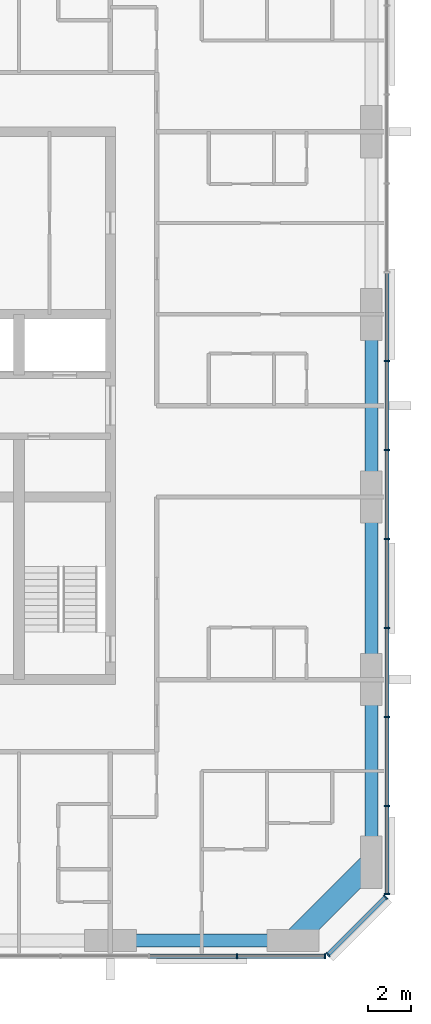
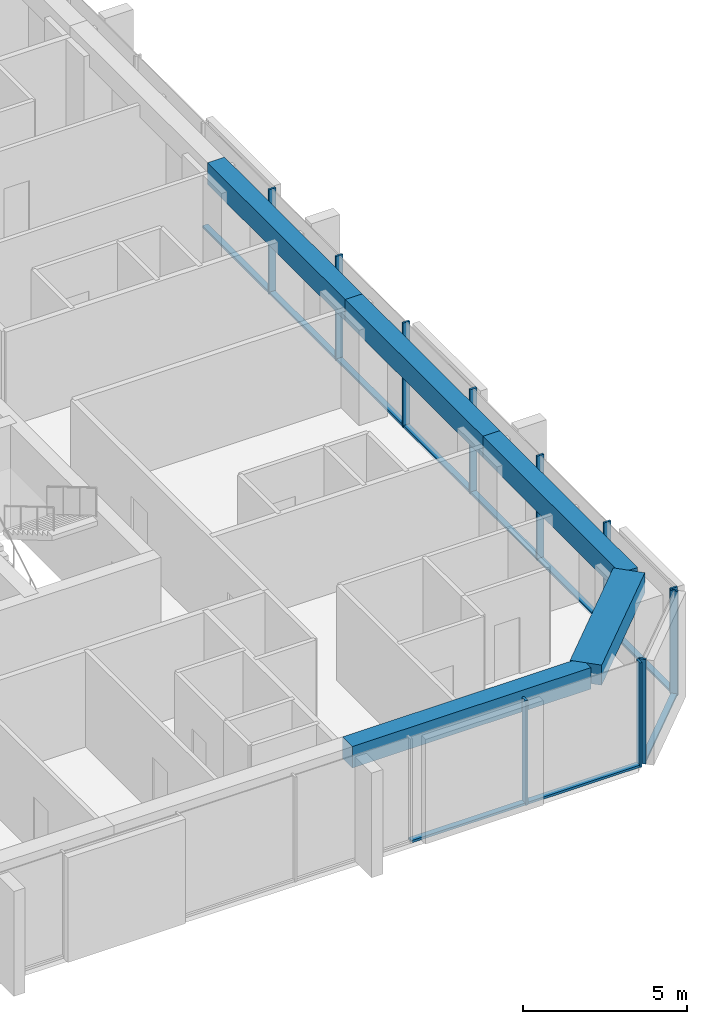
# One storey, part 3 of 13: 21 members, 5 beams, 3 elements without a shape of their own.
"""IFC4 building model written with IfcOpenShell, lengths in metres."""

from ifc_helpers import new_model, si_unit, direction, frame, origin, origin_2d, place, context, subcontext, project, spatial, rectangle, extrude, material, material_profile, profile_set, type_object, element, aggregate, save


model = new_model("IFC4")

# Units and contexts
model_context = context("Model", 3, precision=1e-05, world=origin(), true_north=direction((0.0, 1.0)))
body_context = subcontext(model_context, "Body", "Model", "MODEL_VIEW")
ifc_project = project(units=[si_unit("LENGTHUNIT", "METRE"), si_unit("AREAUNIT", "SQUARE_METRE"), si_unit("VOLUMEUNIT", "CUBIC_METRE"), si_unit("PLANEANGLEUNIT", "RADIAN"), si_unit("MASSUNIT", "GRAM", prefix="KILO")], contexts=[model_context])

# Site, building, storey
site_placement = place(None, origin())
site = spatial("IfcSite", under=ifc_project, at=site_placement, CompositionType="ELEMENT")
building_placement = place(site_placement, origin())
building = spatial("IfcBuilding", under=site, at=building_placement, Name="Dunama Terrace Hotel", CompositionType="ELEMENT")
storey_placement = place(building_placement, frame((0.0, 0.0, 280.199951171875)))
storey = spatial("IfcBuildingStorey", under=building, at=storey_placement, Name="L72", CompositionType="ELEMENT", Elevation=280.199951171875)

# Curtain wall, members
ifc_material_1 = material(Name="Aluminium curtain wall system", Category="aluminium")
curtain_wall_type = type_object("IfcCurtainWallType", Name="Unitised fritted glass wall CW-D", PredefinedType="NOTDEFINED", material=ifc_material_1)
curtain_wall_1_placement = place(storey_placement, origin())
curtain_wall_1 = element("IfcCurtainWall", 1, at=curtain_wall_1_placement, inside=storey, type_object=curtain_wall_type, Name="Unitised fritted glass wall CW-D L72", PredefinedType="NOTDEFINED")
ifc_material_2 = material(Name="Aluminium mullion", Category="aluminium")
ifc_material_profile_1 = material_profile(ifc_material_2, rectangle(XDim=0.070068359375, YDim=0.239990234375, at=origin_2d()), Name="CWD MULLION 70X240")
ifc_profile_set_1 = profile_set([ifc_material_profile_1], Name="Aluminium mullion")
member_type_1 = type_object("IfcMemberType", Name="CWD mullion 70x240", PredefinedType="MULLION", material=ifc_profile_set_1)
member_1_placement = place(storey_placement, frame((47.8330078125, 4.080078125, 0.0), z_axis=(0.0, 0.0, 1.0), x_axis=(1.0, 0.0, 0.0)))
member_1 = element("IfcMember", 2, at=member_1_placement, type_object=member_type_1, Name="CWD mullion", PredefinedType="MULLION", context=body_context, shape_type="SweptSolid", body=[
    extrude(rectangle(XDim=0.070068359375, YDim=0.239990234375, at=origin_2d()), origin(), (0.0, 0.0, 1.0), 3.900146484375),
])
member_2_placement = place(storey_placement, frame((51.864990234375, 4.080078125, 0.0), z_axis=(0.0, 0.0, 1.0), x_axis=(1.0, 0.0, 0.0)))
member_2 = element("IfcMember", 3, at=member_2_placement, type_object=member_type_1, Name="CWD mullion", PredefinedType="MULLION", context=body_context, shape_type="SweptSolid", body=[
    extrude(rectangle(XDim=0.070068359375, YDim=0.239990234375, at=origin_2d()), origin(), (0.0, 0.0, 1.0), 3.900146484375),
])

curtain_wall_2_placement = place(storey_placement, origin())
curtain_wall_2 = element("IfcCurtainWall", 4, at=curtain_wall_2_placement, inside=storey, type_object=curtain_wall_type, Name="Unitised fritted glass wall CW-D L72", PredefinedType="NOTDEFINED")
member_3_placement = place(storey_placement, frame((52.010009765625, 4.139892578125, 0.0), z_axis=(0.0, 0.0, 1.0), x_axis=(0.707106781187, 0.707106781187, 0.0)))
member_3 = element("IfcMember", 5, at=member_3_placement, type_object=member_type_1, Name="CWD mullion", PredefinedType="MULLION", context=body_context, shape_type="SweptSolid", body=[
    extrude(rectangle(XDim=0.070068359375, YDim=0.239990234375, at=origin_2d()), origin(), (0.0, 0.0, 1.0), 3.900146484375),
])
member_4_placement = place(storey_placement, frame((54.659912109375, 6.7900390625, 0.0), z_axis=(0.0, 0.0, 1.0), x_axis=(0.707106781187, 0.707106781187, 0.0)))
member_4 = element("IfcMember", 6, at=member_4_placement, type_object=member_type_1, Name="CWD mullion", PredefinedType="MULLION", context=body_context, shape_type="SweptSolid", body=[
    extrude(rectangle(XDim=0.070068359375, YDim=0.239990234375, at=origin_2d()), origin(), (0.0, 0.0, 1.0), 3.900146484375),
])

curtain_wall_3_placement = place(storey_placement, origin())
curtain_wall_3 = element("IfcCurtainWall", 7, at=curtain_wall_3_placement, inside=storey, type_object=curtain_wall_type, Name="Unitised fritted glass wall CW-D L72", PredefinedType="NOTDEFINED")
member_5_placement = place(storey_placement, frame((54.719970703125, 6.93505859375, 0.0), z_axis=(0.0, 0.0, 1.0), x_axis=(0.0, 1.0, 0.0)))
member_5 = element("IfcMember", 8, at=member_5_placement, type_object=member_type_1, Name="CWD mullion", PredefinedType="MULLION", context=body_context, shape_type="SweptSolid", body=[
    extrude(rectangle(XDim=0.070068359375, YDim=0.239990234375, at=origin_2d()), origin(), (0.0, 0.0, 1.0), 3.900146484375),
])
member_6_placement = place(storey_placement, frame((54.719970703125, 10.990966796875, 0.0), z_axis=(0.0, 0.0, 1.0), x_axis=(0.0, 1.0, 0.0)))
member_6 = element("IfcMember", 9, at=member_6_placement, type_object=member_type_1, Name="CWD mullion", PredefinedType="MULLION", context=body_context, shape_type="SweptSolid", body=[
    extrude(rectangle(XDim=0.070068359375, YDim=0.239990234375, at=origin_2d()), origin(), (0.0, 0.0, 1.0), 3.900146484375),
])
member_7_placement = place(storey_placement, frame((54.719970703125, 15.08203125, 0.0), z_axis=(0.0, 0.0, 1.0), x_axis=(0.0, 1.0, 0.0)))
member_7 = element("IfcMember", 10, at=member_7_placement, type_object=member_type_1, Name="CWD mullion", PredefinedType="MULLION", context=body_context, shape_type="SweptSolid", body=[
    extrude(rectangle(XDim=0.070068359375, YDim=0.239990234375, at=origin_2d()), origin(), (0.0, 0.0, 1.0), 3.900146484375),
])
member_8_placement = place(storey_placement, frame((54.719970703125, 19.173095703125, 0.0), z_axis=(0.0, 0.0, 1.0), x_axis=(0.0, 1.0, 0.0)))
member_8 = element("IfcMember", 11, at=member_8_placement, type_object=member_type_1, Name="CWD mullion", PredefinedType="MULLION", context=body_context, shape_type="SweptSolid", body=[
    extrude(rectangle(XDim=0.070068359375, YDim=0.239990234375, at=origin_2d()), origin(), (0.0, 0.0, 1.0), 3.900146484375),
])
member_9_placement = place(storey_placement, frame((54.719970703125, 23.263916015625, 0.0), z_axis=(0.0, 0.0, 1.0), x_axis=(0.0, 1.0, 0.0)))
member_9 = element("IfcMember", 12, at=member_9_placement, type_object=member_type_1, Name="CWD mullion", PredefinedType="MULLION", context=body_context, shape_type="SweptSolid", body=[
    extrude(rectangle(XDim=0.070068359375, YDim=0.239990234375, at=origin_2d()), origin(), (0.0, 0.0, 1.0), 3.900146484375),
])
member_10_placement = place(storey_placement, frame((54.719970703125, 27.35498046875, 0.0), z_axis=(0.0, 0.0, 1.0), x_axis=(0.0, 1.0, 0.0)))
member_10 = element("IfcMember", 13, at=member_10_placement, type_object=member_type_1, Name="CWD mullion", PredefinedType="MULLION", context=body_context, shape_type="SweptSolid", body=[
    extrude(rectangle(XDim=0.070068359375, YDim=0.239990234375, at=origin_2d()), origin(), (0.0, 0.0, 1.0), 3.900146484375),
])
member_11_placement = place(storey_placement, frame((54.719970703125, 31.445068359375, 0.0), z_axis=(0.0, 0.0, 1.0), x_axis=(0.0, 1.0, 0.0)))
member_11 = element("IfcMember", 14, at=member_11_placement, type_object=member_type_1, Name="CWD mullion", PredefinedType="MULLION", context=body_context, shape_type="SweptSolid", body=[
    extrude(rectangle(XDim=0.070068359375, YDim=0.239990234375, at=origin_2d()), origin(), (0.0, 0.0, 1.0), 3.900146484375),
])

# Member
ifc_material_3 = material(Name="Aluminium transom", Category="aluminium")
ifc_material_profile_2 = material_profile(ifc_material_3, rectangle(XDim=0.199951171875, YDim=0.0849609375, at=origin_2d()), Name="CWD TRANSOM 200X85")
ifc_profile_set_2 = profile_set([ifc_material_profile_2], Name="Aluminium transom")
member_type_2 = type_object("IfcMemberType", Name="CWD transom 200x85", PredefinedType="USERDEFINED", material=ifc_profile_set_2)
member_12_placement = place(storey_placement, frame((43.802001953125, 4.080078125, 0.04248046875), z_axis=(1.0, 0.0, 0.0), x_axis=(0.0, 1.0, 0.0)))
member_12 = element("IfcMember", 15, at=member_12_placement, type_object=member_type_2, Name="CWD transom", ObjectType="TRANSOM", PredefinedType="USERDEFINED", context=body_context, shape_type="SweptSolid", body=[
    extrude(rectangle(XDim=0.199951171875, YDim=0.0849609375, at=origin_2d()), origin(), (0.0, 0.0, 1.0), 3.99609375),
])

member_13_placement = place(storey_placement, frame((47.867919921875, 4.080078125, 0.04248046875), z_axis=(1.0, 0.0, 0.0), x_axis=(0.0, 1.0, 0.0)))
member_13 = element("IfcMember", 16, at=member_13_placement, type_object=member_type_2, Name="CWD transom", ObjectType="TRANSOM", PredefinedType="USERDEFINED", context=body_context, shape_type="SweptSolid", body=[
    extrude(rectangle(XDim=0.199951171875, YDim=0.0849609375, at=origin_2d()), origin(), (0.0, 0.0, 1.0), 3.962158203125),
])

aggregate(curtain_wall_1, [member_1, member_2, member_12, member_13])

member_14_placement = place(storey_placement, frame((52.033935546875, 4.1650390625, 0.04248046875), z_axis=(0.707106781187, 0.707106781187, 0.0), x_axis=(-0.707106781187, 0.707106781187, 0.0)))
member_14 = element("IfcMember", 17, at=member_14_placement, type_object=member_type_2, Name="CWD transom", ObjectType="TRANSOM", PredefinedType="USERDEFINED", context=body_context, shape_type="SweptSolid", body=[
    extrude(rectangle(XDim=0.199951171875, YDim=0.0849609375, at=origin_2d()), origin(), (0.0, 0.0, 1.0), 3.678466796875),
])

aggregate(curtain_wall_2, [member_3, member_4, member_14])

member_15_placement = place(storey_placement, frame((54.719970703125, 6.969970703125, 0.04248046875), z_axis=(0.0, 1.0, 0.0), x_axis=(-1.0, 0.0, 0.0)))
member_15 = element("IfcMember", 18, at=member_15_placement, type_object=member_type_2, Name="CWD transom", ObjectType="TRANSOM", PredefinedType="USERDEFINED", context=body_context, shape_type="SweptSolid", body=[
    extrude(rectangle(XDim=0.199951171875, YDim=0.0849609375, at=origin_2d()), origin(), (0.0, 0.0, 1.0), 3.986083984375),
])

member_16_placement = place(storey_placement, frame((54.719970703125, 11.02587890625, 0.04248046875), z_axis=(0.0, 1.0, 0.0), x_axis=(-1.0, 0.0, 0.0)))
member_16 = element("IfcMember", 19, at=member_16_placement, type_object=member_type_2, Name="CWD transom", ObjectType="TRANSOM", PredefinedType="USERDEFINED", context=body_context, shape_type="SweptSolid", body=[
    extrude(rectangle(XDim=0.199951171875, YDim=0.0849609375, at=origin_2d()), origin(), (0.0, 0.0, 1.0), 4.021240234375),
])

member_17_placement = place(storey_placement, frame((54.719970703125, 15.116943359375, 0.04248046875), z_axis=(0.0, 1.0, 0.0), x_axis=(-1.0, 0.0, 0.0)))
member_17 = element("IfcMember", 20, at=member_17_placement, type_object=member_type_2, Name="CWD transom", ObjectType="TRANSOM", PredefinedType="USERDEFINED", context=body_context, shape_type="SweptSolid", body=[
    extrude(rectangle(XDim=0.199951171875, YDim=0.0849609375, at=origin_2d()), origin(), (0.0, 0.0, 1.0), 4.02099609375),
])

member_18_placement = place(storey_placement, frame((54.719970703125, 19.2080078125, 0.04248046875), z_axis=(0.0, 1.0, 0.0), x_axis=(-1.0, 0.0, 0.0)))
member_18 = element("IfcMember", 21, at=member_18_placement, type_object=member_type_2, Name="CWD transom", ObjectType="TRANSOM", PredefinedType="USERDEFINED", context=body_context, shape_type="SweptSolid", body=[
    extrude(rectangle(XDim=0.199951171875, YDim=0.0849609375, at=origin_2d()), origin(), (0.0, 0.0, 1.0), 4.02099609375),
])

member_19_placement = place(storey_placement, frame((54.719970703125, 23.299072265625, 0.04248046875), z_axis=(0.0, 1.0, 0.0), x_axis=(-1.0, 0.0, 0.0)))
member_19 = element("IfcMember", 22, at=member_19_placement, type_object=member_type_2, Name="CWD transom", ObjectType="TRANSOM", PredefinedType="USERDEFINED", context=body_context, shape_type="SweptSolid", body=[
    extrude(rectangle(XDim=0.199951171875, YDim=0.0849609375, at=origin_2d()), origin(), (0.0, 0.0, 1.0), 4.02099609375),
])

member_20_placement = place(storey_placement, frame((54.719970703125, 27.389892578125, 0.04248046875), z_axis=(0.0, 1.0, 0.0), x_axis=(-1.0, 0.0, 0.0)))
member_20 = element("IfcMember", 23, at=member_20_placement, type_object=member_type_2, Name="CWD transom", ObjectType="TRANSOM", PredefinedType="USERDEFINED", context=body_context, shape_type="SweptSolid", body=[
    extrude(rectangle(XDim=0.199951171875, YDim=0.0849609375, at=origin_2d()), origin(), (0.0, 0.0, 1.0), 4.02001953125),
])

member_21_placement = place(storey_placement, frame((54.719970703125, 31.47998046875, 0.04248046875), z_axis=(0.0, 1.0, 0.0), x_axis=(-1.0, 0.0, 0.0)))
member_21 = element("IfcMember", 24, at=member_21_placement, type_object=member_type_2, Name="CWD transom", ObjectType="TRANSOM", PredefinedType="USERDEFINED", context=body_context, shape_type="SweptSolid", body=[
    extrude(rectangle(XDim=0.199951171875, YDim=0.0849609375, at=origin_2d()), origin(), (0.0, 0.0, 1.0), 4.02099609375),
])

aggregate(curtain_wall_3, [member_5, member_6, member_7, member_8, member_9, member_10, member_11, member_15, member_16, member_17, member_18, member_19, member_20, member_21])

# Beams
ifc_material_4 = material(Name="Concrete C50/60", Category="concrete")
ifc_material_profile_3 = material_profile(ifc_material_4, rectangle(XDim=1.0, YDim=0.75, at=origin_2d()), Name="RC 1000x750")
ifc_profile_set_3 = profile_set([ifc_material_profile_3], Name="Concrete C50/60")
beam_type_1 = type_object("IfcBeamType", Name="Edge beam RC 1000x750", PredefinedType="SPANDREL", material=ifc_profile_set_3)
beam_1_placement = place(storey_placement, frame((50.39990234375, 4.800048828125, 3.525146484375), z_axis=(0.707130757816, 0.707082803744, 0.0), x_axis=(-0.707082803744, 0.707130757816, 0.0)))
element("IfcBeam", 25, at=beam_1_placement, inside=storey, type_object=beam_type_1, Name="Corner edge beam under L73", PredefinedType="SPANDREL", context=body_context, shape_type="SweptSolid", body=[
    extrude(rectangle(XDim=1.0, YDim=0.75, at=origin_2d()), origin(), (0.0, 0.0, 1.0), 5.091064453125),
])
ifc_material_5 = material(Name="Concrete C40/50", Category="concrete")
ifc_material_profile_4 = material_profile(ifc_material_5, rectangle(XDim=0.60009765625, YDim=0.800048828125, at=origin_2d()), Name="RC 600x800")
ifc_profile_set_4 = profile_set([ifc_material_profile_4], Name="Concrete C40/50")
beam_type_2 = type_object("IfcBeamType", Name="Edge beam RC 600x800", PredefinedType="SPANDREL", material=ifc_profile_set_4)
beam_2_placement = place(storey_placement, frame((54.0, 8.39990234375, 3.5), z_axis=(0.0, 1.0, 0.0), x_axis=(-1.0, 0.0, 0.0)))
element("IfcBeam", 26, at=beam_2_placement, inside=storey, type_object=beam_type_2, Name="Edge beam under L73", PredefinedType="SPANDREL", context=body_context, shape_type="SweptSolid", body=[
    extrude(rectangle(XDim=0.60009765625, YDim=0.800048828125, at=origin_2d()), origin(), (0.0, 0.0, 1.0), 8.400146484375),
])
beam_3_placement = place(storey_placement, frame((54.0, 16.800048828125, 3.5), z_axis=(0.0, 1.0, 0.0), x_axis=(-1.0, 0.0, 0.0)))
element("IfcBeam", 27, at=beam_3_placement, inside=storey, type_object=beam_type_2, Name="Edge beam under L73", PredefinedType="SPANDREL", context=body_context, shape_type="SweptSolid", body=[
    extrude(rectangle(XDim=0.60009765625, YDim=0.800048828125, at=origin_2d()), origin(), (0.0, 0.0, 1.0), 8.39990234375),
])
beam_4_placement = place(storey_placement, frame((54.0, 25.199951171875, 3.5), z_axis=(0.0, 1.0, 0.0), x_axis=(-1.0, 0.0, 0.0)))
element("IfcBeam", 28, at=beam_4_placement, inside=storey, type_object=beam_type_2, Name="Edge beam under L73", PredefinedType="SPANDREL", context=body_context, shape_type="SweptSolid", body=[
    extrude(rectangle(XDim=0.60009765625, YDim=0.800048828125, at=origin_2d()), origin(), (0.0, 0.0, 1.0), 8.400146484375),
])
beam_5_placement = place(storey_placement, frame((42.0, 4.800048828125, 3.5), z_axis=(1.0, 0.0, 0.0), x_axis=(0.0, 1.0, 0.0)))
element("IfcBeam", 29, at=beam_5_placement, inside=storey, type_object=beam_type_2, Name="Edge beam under L73", PredefinedType="SPANDREL", context=body_context, shape_type="SweptSolid", body=[
    extrude(rectangle(XDim=0.60009765625, YDim=0.800048828125, at=origin_2d()), origin(), (0.0, 0.0, 1.0), 8.39990234375),
])

save(model, "model.ifc")
